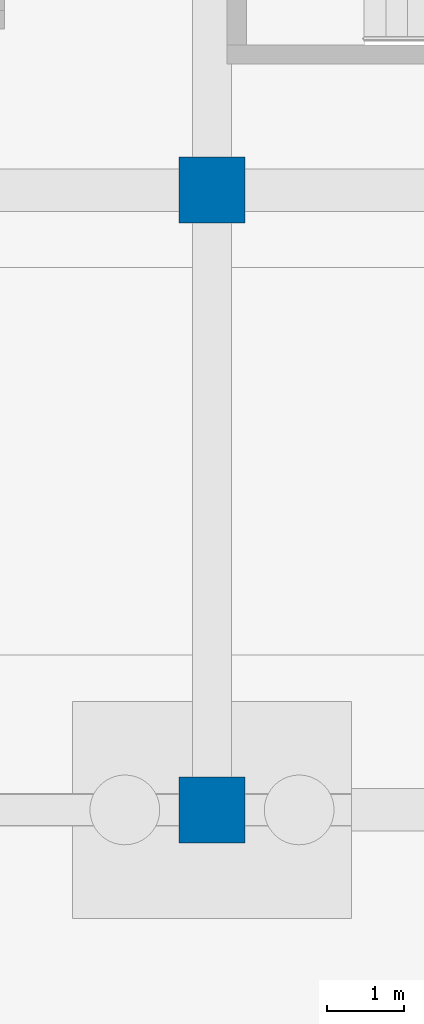
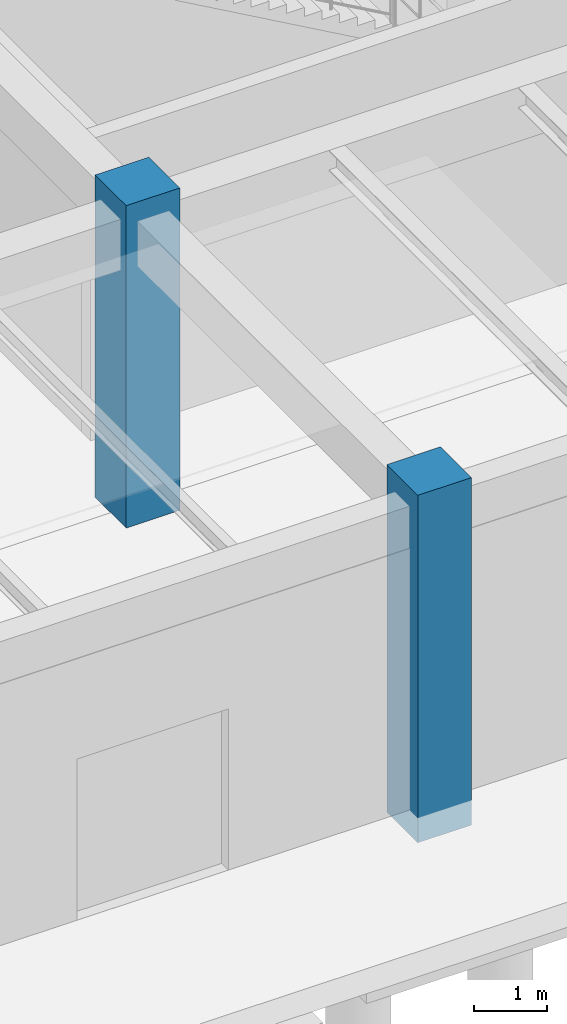
# One storey, part 7 of 121: 2 columns.
"""IFC4 building model written with IfcOpenShell, lengths in metres."""

from ifc_helpers import new_model, si_unit, derived_unit, direction, frame, origin, origin_2d, place, context, subcontext, project, spatial, rectangle, extrude, material, material_profile, profile_set, type_object, element, save


model = new_model("IFC4")

# Units and contexts
model_context = context("Model", 3, precision=1e-05, world=origin(), true_north=direction((0.0, 1.0)))
body_context = subcontext(model_context, "Body", "Model", "MODEL_VIEW")
ifc_project = project(units=[si_unit("LENGTHUNIT", "METRE"), si_unit("AREAUNIT", "SQUARE_METRE"), si_unit("VOLUMEUNIT", "CUBIC_METRE"), si_unit("PLANEANGLEUNIT", "RADIAN"), si_unit("MASSUNIT", "GRAM", prefix="KILO"), derived_unit("THERMALTRANSMITTANCEUNIT", [(si_unit("MASSUNIT", "GRAM", prefix="KILO"), 1), (si_unit("TIMEUNIT", "SECOND"), -3), (si_unit("THERMODYNAMICTEMPERATUREUNIT", "KELVIN"), -1)])], contexts=[model_context])

# Site, building, storey
site_placement = place(None, origin())
site = spatial("IfcSite", under=ifc_project, at=site_placement, CompositionType="ELEMENT")
building_placement = place(site_placement, origin())
building = spatial("IfcBuilding", under=site, at=building_placement, Name="Zhenchuan Archway Interchange", CompositionType="ELEMENT")
storey_placement = place(building_placement, origin())
storey = spatial("IfcBuildingStorey", under=building, at=storey_placement, Name="L00", CompositionType="ELEMENT", Elevation=0.0)

# Columns
ifc_material = material(Name="Concrete C40", Category="concrete")
ifc_material_profile = material_profile(ifc_material, rectangle(XDim=0.85009765625, YDim=0.85009765625, at=origin_2d()), Name="RC 850x850")
ifc_profile_set = profile_set([ifc_material_profile], Name="Concrete C40")
column_type = type_object("IfcColumnType", Name="COL_RC_850", PredefinedType="COLUMN", material=ifc_profile_set)
column_1_placement = place(storey_placement, frame((54.0, 16.0, -0.419921875), z_axis=(0.0, 0.0, 1.0), x_axis=(1.0, 0.0, 0.0)))
element("IfcColumn", 1, at=column_1_placement, inside=storey, type_object=column_type, Name="Column 7/C (L00)", PredefinedType="COLUMN", context=body_context, shape_type="SweptSolid", body=[
    extrude(rectangle(XDim=0.85009765625, YDim=0.85009765625, at=origin_2d()), origin(), (0.0, 0.0, 1.0), 5.81982421875),
])
column_2_placement = place(storey_placement, frame((54.0, 24.0, 0.0), z_axis=(0.0, 0.0, 1.0), x_axis=(1.0, 0.0, 0.0)))
element("IfcColumn", 2, at=column_2_placement, inside=storey, type_object=column_type, Name="Column 7/D (L00)", PredefinedType="COLUMN", context=body_context, shape_type="SweptSolid", body=[
    extrude(rectangle(XDim=0.85009765625, YDim=0.85009765625, at=origin_2d()), origin(), (0.0, 0.0, 1.0), 5.39990234375),
])

save(model, "model.ifc")
